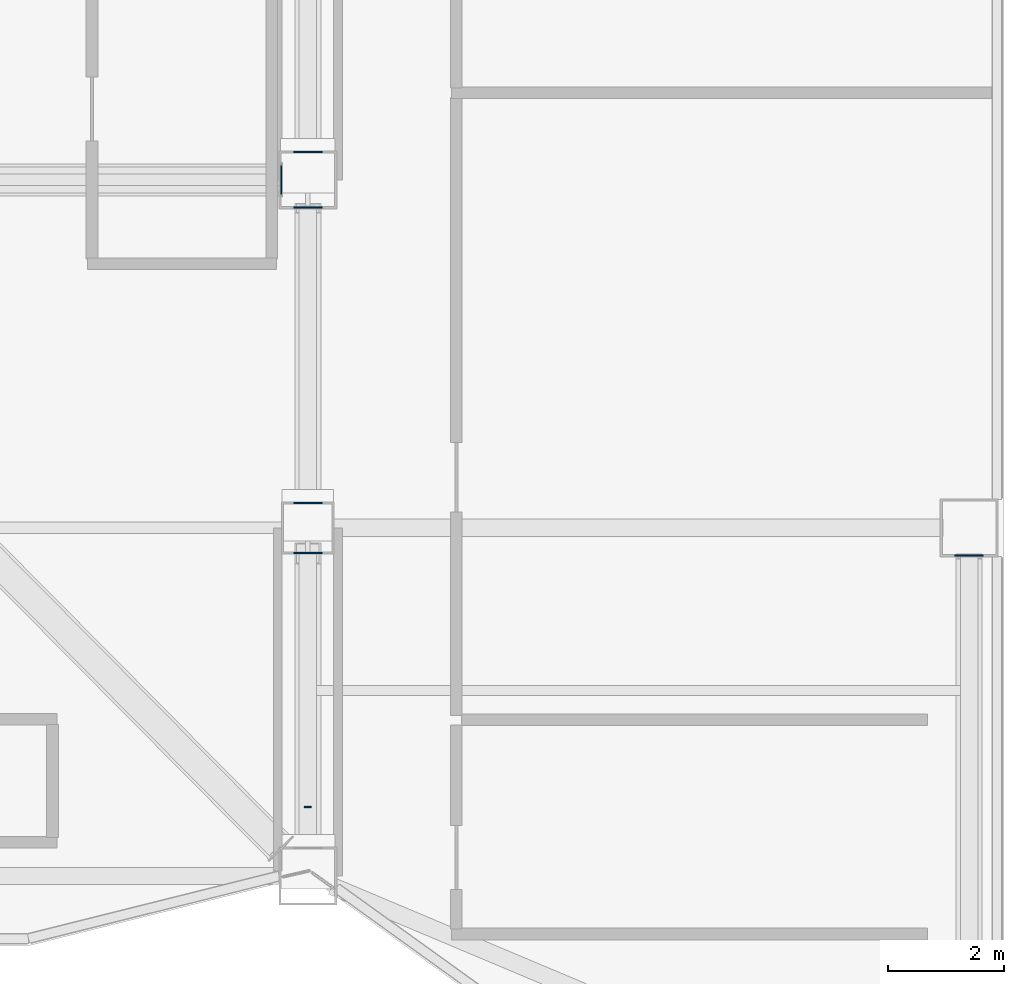
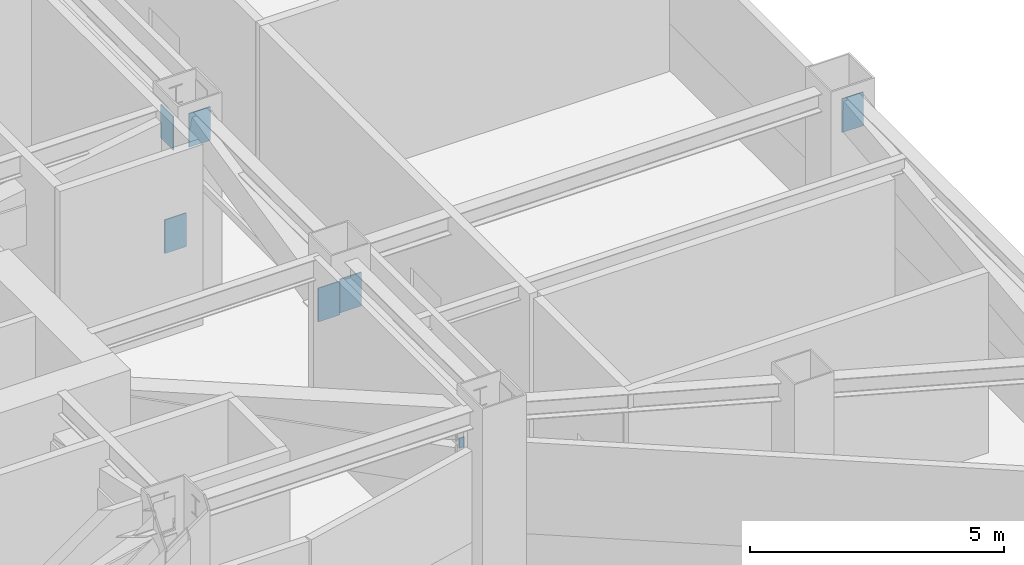
# One storey, part 11 of 24: 7 plates.
"""IFC4 building model written with IfcOpenShell, lengths in metres."""

from ifc_helpers import new_model, si_unit, direction, frame, origin, origin_2d, place, context, subcontext, project, spatial, rectangle, extrude, material, layer, layer_set, type_object, element, save


model = new_model("IFC4")

# Units and contexts
model_context = context("Model", 3, precision=1e-05, world=origin(), true_north=direction((0.0, 1.0)))
body_context = subcontext(model_context, "Body", "Model", "MODEL_VIEW")
ifc_project = project(units=[si_unit("LENGTHUNIT", "METRE"), si_unit("AREAUNIT", "SQUARE_METRE"), si_unit("VOLUMEUNIT", "CUBIC_METRE"), si_unit("PLANEANGLEUNIT", "RADIAN"), si_unit("MASSUNIT", "GRAM", prefix="KILO")], contexts=[model_context])

# Site, building, storey
site_placement = place(None, origin())
site = spatial("IfcSite", under=ifc_project, at=site_placement, CompositionType="ELEMENT")
building_placement = place(site_placement, origin())
building = spatial("IfcBuilding", under=site, at=building_placement, Name="Haolan Belvedere Tower", CompositionType="ELEMENT")
storey_placement = place(building_placement, frame((0.0, 0.0, 160.0)))
storey = spatial("IfcBuildingStorey", under=building, at=storey_placement, Name="L40", CompositionType="ELEMENT", Elevation=160.0)

# Plates
ifc_material = material(Name="Steel Q355B", Category="steel")
ifc_layer = layer(ifc_material, 0.02490234375, Name="Steel Q355B")
ifc_layer_set = layer_set([ifc_layer], Name="Steel Q355B")
plate_type = type_object("IfcPlateType", Name="PL-CAP-25", PredefinedType="SHEET", material=ifc_layer_set)
for number, where, z_axis, x_axis, name in (
    (1, (52.34228515625, 33.60009765625, 3.386962890625), (0.0, 0.0, 1.0), (0.0, 1.0, 0.0), "Hollow steel end-cap plate OR-E1-L40-DG-CAP1"),
    (2, (52.800048828125, 27.1708984375, 3.15087890625), (0.0, 0.0, 1.0), (-1.0, 0.0, 0.0), "Hollow steel end-cap plate BT-E1-L40-CAP1"),
    (3, (52.800048828125, 28.02783203125, 2.412353515625), (0.0, 0.0, 1.0), (1.0, 0.0, 0.0), "Hollow steel end-cap plate BT-E2-L40-CAP0"),
    (4, (52.800048828125, 33.122314453125, 3.527587890625), (0.0, 0.0, 1.0), (-1.0, 0.0, 0.0), "Hollow steel end-cap plate BT-E2-L40-CAP1"),
    (5, (52.800048828125, 34.0791015625, 0.388916015625), (0.0, 0.0, 1.0), (1.0, 0.0, 0.0), "Hollow steel end-cap plate BT-E3-L40-CAP0"),
    (6, (64.199951171875, 27.122314453125, 3.5263671875), (0.0, 0.0, 1.0), (-1.0, 0.0, 0.0), "Hollow steel end-cap plate BT-T4-L40-CAP1"),
):
    element("IfcPlate", number, at=place(storey_placement, frame(where, z_axis=z_axis, x_axis=x_axis)), inside=storey, type_object=plate_type, Name=name, PredefinedType="SHEET", context=body_context, shape_type="SweptSolid", body=[
        extrude(rectangle(XDim=0.489990234375, YDim=0.02490234375, at=origin_2d()), origin(), (0.0, 0.0, 1.0), 0.81005859375),
    ])
plate_placement = place(storey_placement, frame((52.800048828125, 22.78759765625, 2.47998046875), z_axis=(0.0, 0.0, 1.0), x_axis=(1.0, 0.0, 0.0)))
element("IfcPlate", 7, at=plate_placement, inside=storey, type_object=plate_type, Name="Hollow steel end-cap plate GIRT-L40-GE-CAP0", PredefinedType="SHEET", context=body_context, shape_type="SweptSolid", body=[
    extrude(rectangle(XDim=0.1201171875, YDim=0.02490234375, at=origin_2d()), origin(), (0.0, 0.0, 1.0), 0.239990234375),
])

save(model, "model.ifc")
